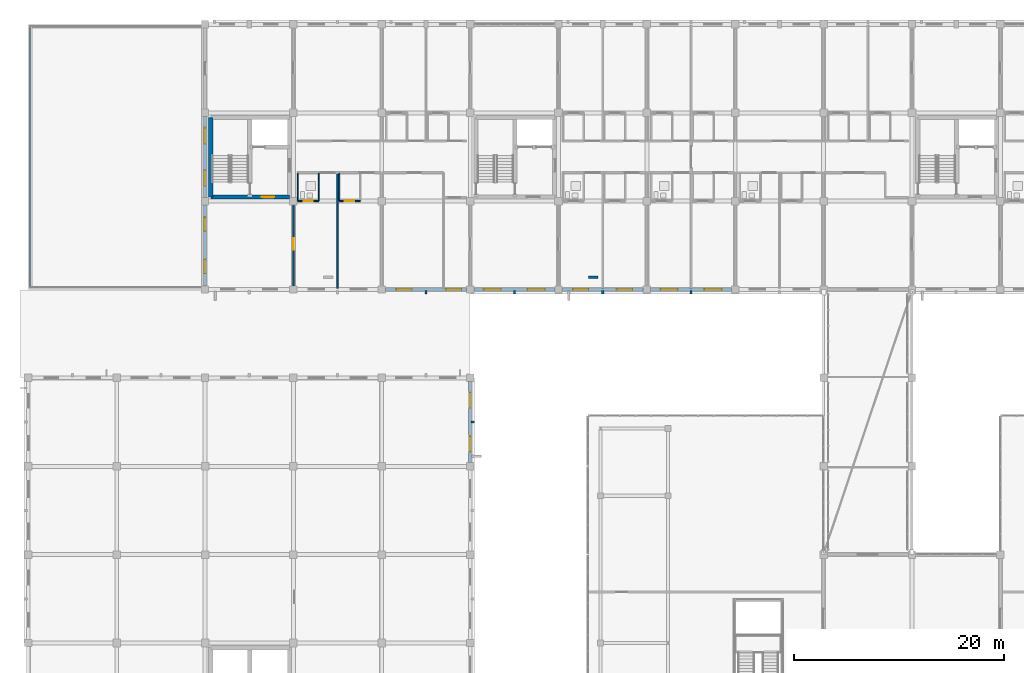
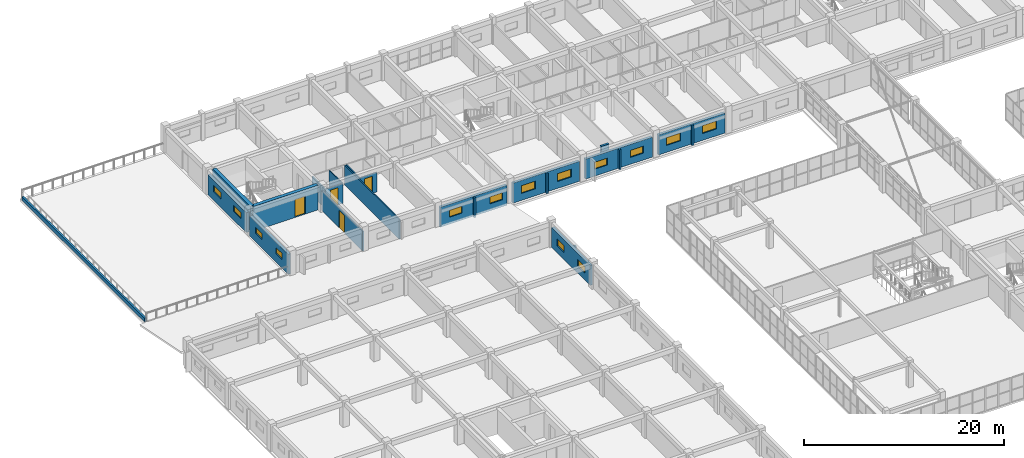
# One storey, part 122 of 148: 23 walls, 14 windows, 4 doors, 18 openings.
"""IFC4 building model written with IfcOpenShell, lengths in metres."""

from ifc_helpers import new_model, si_unit, direction, frame, frame_2d, origin, place, context, subcontext, project, spatial, rectangle, extrude, material, layer, layer_set, type_object, element, fill, save


model = new_model("IFC4")

# Units and contexts
model_context = context("Model", 3, precision=1e-05, world=origin(), true_north=direction((0.0, 1.0)))
body_context = subcontext(model_context, "Body", "Model", "MODEL_VIEW")
ifc_project = project(units=[si_unit("LENGTHUNIT", "METRE"), si_unit("AREAUNIT", "SQUARE_METRE"), si_unit("VOLUMEUNIT", "CUBIC_METRE"), si_unit("PLANEANGLEUNIT", "RADIAN"), si_unit("MASSUNIT", "GRAM", prefix="KILO")], contexts=[model_context])

# Site, building, storey
site_placement = place(None, origin())
site = spatial("IfcSite", under=ifc_project, at=site_placement, CompositionType="ELEMENT")
building_placement = place(site_placement, origin())
building = spatial("IfcBuilding", under=site, at=building_placement, Name="Trelvath General Hospital", CompositionType="ELEMENT")
storey_placement = place(building_placement, frame((0.0, 0.0, 12.89990234375)))
storey = spatial("IfcBuildingStorey", under=building, at=storey_placement, Name="L03", CompositionType="ELEMENT", Elevation=12.89990234375)

# Walls
ifc_material_1 = material(Name="Precast concrete C40/50", Category="concrete")
ifc_layer_1 = layer(ifc_material_1, 0.199951171875)
ifc_layer_set_1 = layer_set([ifc_layer_1], Name="Precast concrete C40/50")
wall_type_1 = type_object("IfcWallType", Name="BriseSoleilRib 200", PredefinedType="ELEMENTEDWALL", material=ifc_layer_set_1)
wall_1_placement = place(storey_placement, frame((42.074951171875, 79.800048828125, 0.0), z_axis=(0.0, 0.0, 1.0), x_axis=(1.0, 0.0, 0.0)))
element("IfcWall", 1, at=wall_1_placement, inside=storey, type_object=wall_type_1, Name="Precast Concrete Brise-Soleil Rib Fin L03-255", PredefinedType="ELEMENTEDWALL", context=body_context, shape_type="SweptSolid", body=[
    extrude(rectangle(XDim=0.340087890625, YDim=0.199951171875, at=frame_2d((0.169921875, 0.0))), origin(), (0.0, 0.0, 1.0), 2.420166015625),
])
for number, where, z_axis, x_axis, name in (
    (2, (37.800048828125, 92.324951171875, 0.0), (0.0, 0.0, 1.0), (0.0, -1.0, 0.0), "Precast Concrete Brise-Soleil Rib Fin L03-256"),
    (3, (46.199951171875, 92.324951171875, 0.0), (0.0, 0.0, 1.0), (0.0, -1.0, 0.0), "Precast Concrete Brise-Soleil Rib Fin L03-259"),
    (4, (54.60009765625, 92.324951171875, 0.0), (0.0, 0.0, 1.0), (0.0, -1.0, 0.0), "Precast Concrete Brise-Soleil Rib Fin L03-262"),
    (5, (63.0, 92.324951171875, 0.0), (0.0, 0.0, 1.0), (0.0, -1.0, 0.0), "Precast Concrete Brise-Soleil Rib Fin L03-266"),
):
    element("IfcWall", number, at=place(storey_placement, frame(where, z_axis=z_axis, x_axis=x_axis)), inside=storey, type_object=wall_type_1, Name=name, PredefinedType="ELEMENTEDWALL", context=body_context, shape_type="SweptSolid", body=[
        extrude(rectangle(XDim=0.33984375, YDim=0.199951171875, at=frame_2d((0.169921875, 0.0))), origin(), (0.0, 0.0, 1.0), 2.420166015625),
    ])

# Wall, opening, door
ifc_material_2 = material(Name="Concrete C40/50", Category="concrete")
ifc_layer_2 = layer(ifc_material_2, 0.39990234375)
ifc_layer_set_2 = layer_set([ifc_layer_2], Name="Concrete C40/50")
wall_type_2 = type_object("IfcWallType", Name="CoreShearWall 400", PredefinedType="SHEAR", material=ifc_layer_set_2)
wall_2_placement = place(storey_placement, frame((17.35009765625, 101.199951171875, 0.0), z_axis=(0.0, 0.0, 1.0), x_axis=(1.0, 0.0, 0.0)))
wall_2 = element("IfcWall", 6, at=wall_2_placement, inside=storey, type_object=wall_type_2, Name="Core Shear Wall C3 S L03", PredefinedType="SHEAR", context=body_context, shape_type="SweptSolid", body=[
    extrude(rectangle(XDim=7.5, YDim=0.39990234375, at=frame_2d((3.75, 0.0))), origin(), (0.0, 0.0, 1.0), 3.02001953125),
])
opening_1_placement = place(wall_2_placement, frame((4.85009765625, 0.0, 0.0)))
opening_1 = element("IfcOpeningElement", 7, at=opening_1_placement, cuts=wall_2, Name="Opening FD-LS33", PredefinedType="OPENING", context=body_context, shape_type="SweptSolid", body=[
    extrude(rectangle(XDim=1.199951171875, YDim=2.199951171875, at=frame_2d((0.60009765625, 1.10009765625))), frame((0.0, 0.2099609375, 0.0), z_axis=(0.0, -1.0, 0.0), x_axis=(1.0, 0.0, 0.0)), (0.0, 0.0, 1.0), 0.419921875),
])
ifc_material_3 = material(Name="Fire-rated steel door", Category="steel")
door_type_1 = type_object("IfcDoorType", Name="Door FireLobby 1200x2200", OperationType="NOTDEFINED", PredefinedType="DOOR", material=ifc_material_3)
door_1_placement = place(opening_1_placement, origin())
door_1 = element("IfcDoor", 8, at=door_1_placement, inside=storey, type_object=door_type_1, Name="Fire Lobby South Door C3 L03", OperationType="SINGLE_SWING_LEFT", OverallHeight=2.199951171875, OverallWidth=1.199951171875, PredefinedType="DOOR", context=body_context, shape_type="SweptSolid", body=[
    extrude(rectangle(XDim=1.199951171875, YDim=2.199951171875, at=frame_2d((0.60009765625, 1.10009765625))), frame((0.0, 0.02490234375, 0.0), z_axis=(0.0, -1.0, 0.0), x_axis=(1.0, 0.0, 0.0)), (0.0, 0.0, 1.0), 0.050048828125),
])
fill(opening_1, door_1)

# Walls
wall_3_placement = place(storey_placement, frame((17.35009765625, 101.199951171875, 0.0), z_axis=(0.0, 0.0, 1.0), x_axis=(0.0, 1.0, 0.0)))
element("IfcWall", 9, at=wall_3_placement, inside=storey, type_object=wall_type_2, Name="Core Shear Wall C3 W L03", PredefinedType="SHEAR", context=body_context, shape_type="SweptSolid", body=[
    extrude(rectangle(XDim=7.550048828125, YDim=0.39990234375, at=frame_2d((3.77490234375, 0.0))), origin(), (0.0, 0.0, 1.0), 3.02001953125),
])
ifc_material_4 = material(Name="Moisture-resistant tile partition")
ifc_layer_3 = layer(ifc_material_4, 0.110107421875)
ifc_layer_set_3 = layer_set([ifc_layer_3], Name="Moisture-resistant tile partition")
wall_type_3 = type_object("IfcWallType", Name="EnSuiteWetWall 110", PredefinedType="PARTITIONING", material=ifc_layer_set_3)
for number, where, z_axis, x_axis, name in (
    (10, (25.6201171875, 100.820068359375, 0.0), (0.0, 0.0, 1.0), (0.0, 1.0, 0.0), "En-Suite W Wall L03-1233"),
    (11, (27.60009765625, 100.820068359375, 0.0), (0.0, 0.0, 1.0), (0.0, 1.0, 0.0), "En-Suite E Wall L03-1234"),
):
    element("IfcWall", number, at=place(storey_placement, frame(where, z_axis=z_axis, x_axis=x_axis)), inside=storey, type_object=wall_type_3, Name=name, PredefinedType="PARTITIONING", context=body_context, shape_type="SweptSolid", body=[
        extrude(rectangle(XDim=2.60986328125, YDim=0.110107421875, at=frame_2d((1.304931640625, 0.0))), origin(), (0.0, 0.0, 1.0), 2.420166015625),
    ])

# Wall, opening, door
wall_4_placement = place(storey_placement, frame((25.6201171875, 100.820068359375, 0.0), z_axis=(0.0, 0.0, 1.0), x_axis=(1.0, 0.0, 0.0)))
wall_4 = element("IfcWall", 12, at=wall_4_placement, inside=storey, type_object=wall_type_3, Name="En-Suite Bathroom Partition L03-1235", PredefinedType="PARTITIONING", context=body_context, shape_type="SweptSolid", body=[
    extrude(rectangle(XDim=1.97998046875, YDim=0.110107421875, at=frame_2d((0.989990234375, 0.0))), origin(), (0.0, 0.0, 1.0), 2.420166015625),
])
opening_2_placement = place(wall_4_placement, frame((0.5400390625, 0.0, 0.0)))
opening_2 = element("IfcOpeningElement", 13, at=opening_2_placement, cuts=wall_4, Name="Opening D-3-0904", PredefinedType="OPENING", context=body_context, shape_type="SweptSolid", body=[
    extrude(rectangle(XDim=0.89990234375, YDim=2.10009765625, at=frame_2d((0.449951171875, 1.050048828125))), frame((0.0, 0.06494140625, 0.0), z_axis=(0.0, -1.0, 0.0), x_axis=(1.0, 0.0, 0.0)), (0.0, 0.0, 1.0), 0.130126953125),
])
ifc_material_5 = material(Name="Moisture-sealed timber leaf", Category="wood")
door_type_2 = type_object("IfcDoorType", Name="Door EnSuite 900x2100", OperationType="NOTDEFINED", PredefinedType="DOOR", material=ifc_material_5)
door_2_placement = place(opening_2_placement, origin())
door_2 = element("IfcDoor", 14, at=door_2_placement, inside=storey, type_object=door_type_2, Name="En-Suite Bathroom Door L03-904", OperationType="SINGLE_SWING_RIGHT", OverallHeight=2.10009765625, OverallWidth=0.89990234375, PredefinedType="DOOR", context=body_context, shape_type="SweptSolid", body=[
    extrude(rectangle(XDim=0.89990234375, YDim=2.10009765625, at=frame_2d((0.449951171875, 1.050048828125))), frame((0.0, 0.02490234375, 0.0), z_axis=(0.0, -1.0, 0.0), x_axis=(1.0, 0.0, 0.0)), (0.0, 0.0, 1.0), 0.050048828125),
])
fill(opening_2, door_2)

# Wall
wall_5_placement = place(storey_placement, frame((29.56005859375, 100.820068359375, 0.0), z_axis=(0.0, 0.0, 1.0), x_axis=(0.0, 1.0, 0.0)))
element("IfcWall", 15, at=wall_5_placement, inside=storey, type_object=wall_type_3, Name="En-Suite W Wall L03-1236", PredefinedType="PARTITIONING", context=body_context, shape_type="SweptSolid", body=[
    extrude(rectangle(XDim=2.60986328125, YDim=0.110107421875, at=frame_2d((1.304931640625, 0.0))), origin(), (0.0, 0.0, 1.0), 2.420166015625),
])

# Wall, opening, door
wall_6_placement = place(storey_placement, frame((29.56005859375, 100.820068359375, 0.0), z_axis=(0.0, 0.0, 1.0), x_axis=(1.0, 0.0, 0.0)))
wall_6 = element("IfcWall", 16, at=wall_6_placement, inside=storey, type_object=wall_type_3, Name="En-Suite Bathroom Partition L03-1238", PredefinedType="PARTITIONING", context=body_context, shape_type="SweptSolid", body=[
    extrude(rectangle(XDim=1.97998046875, YDim=0.110107421875, at=frame_2d((0.989990234375, 0.0))), origin(), (0.0, 0.0, 1.0), 2.420166015625),
])
opening_3_placement = place(wall_6_placement, frame((0.5400390625, 0.0, 0.0)))
opening_3 = element("IfcOpeningElement", 17, at=opening_3_placement, cuts=wall_6, Name="Opening D-3-0905", PredefinedType="OPENING", context=body_context, shape_type="SweptSolid", body=[
    extrude(rectangle(XDim=0.89990234375, YDim=2.10009765625, at=frame_2d((0.449951171875, 1.050048828125))), frame((0.0, 0.06494140625, 0.0), z_axis=(0.0, -1.0, 0.0), x_axis=(1.0, 0.0, 0.0)), (0.0, 0.0, 1.0), 0.130126953125),
])
door_3_placement = place(opening_3_placement, origin())
door_3 = element("IfcDoor", 18, at=door_3_placement, inside=storey, type_object=door_type_2, Name="En-Suite Bathroom Door L03-905", OperationType="SINGLE_SWING_LEFT", OverallHeight=2.10009765625, OverallWidth=0.89990234375, PredefinedType="DOOR", context=body_context, shape_type="SweptSolid", body=[
    extrude(rectangle(XDim=0.89990234375, YDim=2.10009765625, at=frame_2d((0.449951171875, 1.050048828125))), frame((0.0, 0.02490234375, 0.0), z_axis=(0.0, -1.0, 0.0), x_axis=(1.0, 0.0, 0.0)), (0.0, 0.0, 1.0), 0.050048828125),
])
fill(opening_3, door_3)

# Wall, openings, windows
ifc_material_6 = material(Name="Concrete C35/45", Category="concrete")
ifc_layer_4 = layer(ifc_material_6, 0.2900390625)
ifc_layer_set_4 = layer_set([ifc_layer_4], Name="Concrete C35/45")
wall_type_4 = type_object("IfcWallType", Name="ExtBushHammeredWall 290", PredefinedType="SOLIDWALL", material=ifc_layer_set_4)
wall_7_placement = place(storey_placement, frame((16.800048828125, 92.7451171875, 0.0), z_axis=(0.0, 0.0, 1.0), x_axis=(0.0, 1.0, 0.0)))
wall_7 = element("IfcWall", 19, at=wall_7_placement, inside=storey, type_object=wall_type_4, Name="Exterior Concrete Wall L03-344", PredefinedType="SOLIDWALL", context=body_context, shape_type="SweptSolid", body=[
    extrude(rectangle(XDim=7.7099609375, YDim=0.2900390625, at=frame_2d((3.85498046875, 0.0))), origin(), (0.0, 0.0, 1.0), 2.440185546875),
])
opening_4_placement = place(wall_7_placement, frame((1.200439453125, 0.0, 1.050048828125)))
opening_4 = element("IfcOpeningElement", 20, at=opening_4_placement, cuts=wall_7, Name="Opening WN-3-559", PredefinedType="OPENING", context=body_context, shape_type="SweptSolid", body=[
    extrude(rectangle(XDim=1.300048828125, YDim=0.75, at=frame_2d((0.64990234375, 0.375))), frame((0.0, 0.155029296875, 0.0), z_axis=(0.0, -1.0, 0.0), x_axis=(1.0, 0.0, 0.0)), (0.0, 0.0, 1.0), 0.31005859375),
])
opening_5_placement = place(wall_7_placement, frame((5.209716796875, 0.0, 1.050048828125)))
opening_5 = element("IfcOpeningElement", 21, at=opening_5_placement, cuts=wall_7, Name="Opening WN-3-560", PredefinedType="OPENING", context=body_context, shape_type="SweptSolid", body=[
    extrude(rectangle(XDim=1.300048828125, YDim=0.75, at=frame_2d((0.64990234375, 0.375))), frame((0.0, 0.155029296875, 0.0), z_axis=(0.0, -1.0, 0.0), x_axis=(1.0, 0.0, 0.0)), (0.0, 0.0, 1.0), 0.31005859375),
])
ifc_material_7 = material(Name="Low-E laminated glass", Category="glass")
window_type_1 = type_object("IfcWindowType", Name="Window InterstitialVent 1300x750", PartitioningType="DOUBLE_PANEL_HORIZONTAL", PredefinedType="WINDOW", material=ifc_material_7)
window_1_placement = place(opening_4_placement, origin())
window_1 = element("IfcWindow", 22, at=window_1_placement, inside=storey, type_object=window_type_1, Name="Solar Reveal Window L03-559", OverallHeight=0.75, OverallWidth=1.300048828125, PartitioningType="SINGLE_PANEL", PredefinedType="WINDOW", context=body_context, shape_type="SweptSolid", body=[
    extrude(rectangle(XDim=1.300048828125, YDim=0.75, at=frame_2d((0.64990234375, 0.375))), frame((0.0, 0.030029296875, 0.0), z_axis=(0.0, -1.0, 0.0), x_axis=(1.0, 0.0, 0.0)), (0.0, 0.0, 1.0), 0.06005859375),
])
fill(opening_4, window_1)
window_2_placement = place(opening_5_placement, origin())
window_2 = element("IfcWindow", 23, at=window_2_placement, inside=storey, type_object=window_type_1, Name="Solar Reveal Window L03-560", OverallHeight=0.75, OverallWidth=1.300048828125, PartitioningType="SINGLE_PANEL", PredefinedType="WINDOW", context=body_context, shape_type="SweptSolid", body=[
    extrude(rectangle(XDim=1.300048828125, YDim=0.75, at=frame_2d((0.64990234375, 0.375))), frame((0.0, 0.030029296875, 0.0), z_axis=(0.0, -1.0, 0.0), x_axis=(1.0, 0.0, 0.0)), (0.0, 0.0, 1.0), 0.06005859375),
])
fill(opening_5, window_2)

wall_8_placement = place(storey_placement, frame((16.800048828125, 101.14501953125, 0.0), z_axis=(0.0, 0.0, 1.0), x_axis=(0.0, 1.0, 0.0)))
wall_8 = element("IfcWall", 24, at=wall_8_placement, inside=storey, type_object=wall_type_4, Name="Exterior Concrete Wall L03-345", PredefinedType="SOLIDWALL", context=body_context, shape_type="SweptSolid", body=[
    extrude(rectangle(XDim=7.7099609375, YDim=0.2900390625, at=frame_2d((3.85498046875, 0.0))), origin(), (0.0, 0.0, 1.0), 2.440185546875),
])
opening_6_placement = place(wall_8_placement, frame((1.100341796875, 0.0, 1.050048828125)))
opening_6 = element("IfcOpeningElement", 25, at=opening_6_placement, cuts=wall_8, Name="Opening WN-3-561", PredefinedType="OPENING", context=body_context, shape_type="SweptSolid", body=[
    extrude(rectangle(XDim=1.5, YDim=0.75, at=frame_2d((0.75, 0.375))), frame((0.0, 0.155029296875, 0.0), z_axis=(0.0, -1.0, 0.0), x_axis=(1.0, 0.0, 0.0)), (0.0, 0.0, 1.0), 0.31005859375),
])
opening_7_placement = place(wall_8_placement, frame((5.109619140625, 0.0, 1.050048828125)))
opening_7 = element("IfcOpeningElement", 26, at=opening_7_placement, cuts=wall_8, Name="Opening WN-3-562", PredefinedType="OPENING", context=body_context, shape_type="SweptSolid", body=[
    extrude(rectangle(XDim=1.5, YDim=0.75, at=frame_2d((0.75, 0.375))), frame((0.0, 0.155029296875, 0.0), z_axis=(0.0, -1.0, 0.0), x_axis=(1.0, 0.0, 0.0)), (0.0, 0.0, 1.0), 0.31005859375),
])
ifc_material_8 = material(Name="Low-E laminated glass", Category="glass")
window_type_2 = type_object("IfcWindowType", Name="Window InterstitialVent 1500x750", PartitioningType="DOUBLE_PANEL_HORIZONTAL", PredefinedType="WINDOW", material=ifc_material_8)
window_3_placement = place(opening_6_placement, origin())
window_3 = element("IfcWindow", 27, at=window_3_placement, inside=storey, type_object=window_type_2, Name="Solar Reveal Window L03-561", OverallHeight=0.75, OverallWidth=1.5, PartitioningType="SINGLE_PANEL", PredefinedType="WINDOW", context=body_context, shape_type="SweptSolid", body=[
    extrude(rectangle(XDim=1.5, YDim=0.75, at=frame_2d((0.75, 0.375))), frame((0.0, 0.030029296875, 0.0), z_axis=(0.0, -1.0, 0.0), x_axis=(1.0, 0.0, 0.0)), (0.0, 0.0, 1.0), 0.06005859375),
])
fill(opening_6, window_3)
window_4_placement = place(opening_7_placement, origin())
window_4 = element("IfcWindow", 28, at=window_4_placement, inside=storey, type_object=window_type_2, Name="Solar Reveal Window L03-562", OverallHeight=0.75, OverallWidth=1.5, PartitioningType="SINGLE_PANEL", PredefinedType="WINDOW", context=body_context, shape_type="SweptSolid", body=[
    extrude(rectangle(XDim=1.5, YDim=0.75, at=frame_2d((0.75, 0.375))), frame((0.0, 0.030029296875, 0.0), z_axis=(0.0, -1.0, 0.0), x_axis=(1.0, 0.0, 0.0)), (0.0, 0.0, 1.0), 0.06005859375),
])
fill(opening_7, window_4)

wall_9_placement = place(storey_placement, frame((42.0, 83.655029296875, 0.0), z_axis=(0.0, 0.0, 1.0), x_axis=(0.0, -1.0, 0.0)))
wall_9 = element("IfcWall", 29, at=wall_9_placement, inside=storey, type_object=wall_type_4, Name="Exterior Concrete Wall L03-363", PredefinedType="SOLIDWALL", context=body_context, shape_type="SweptSolid", body=[
    extrude(rectangle(XDim=7.7099609375, YDim=0.2900390625, at=frame_2d((3.85498046875, 0.0))), origin(), (0.0, 0.0, 1.0), 2.440185546875),
])
opening_8_placement = place(wall_9_placement, frame((1.043212890625, 0.0, 0.85009765625)))
opening_8 = element("IfcOpeningElement", 30, at=opening_8_placement, cuts=wall_9, Name="Opening WN-3-595", PredefinedType="OPENING", context=body_context, shape_type="SweptSolid", body=[
    extrude(rectangle(XDim=1.4599609375, YDim=0.85009765625, at=frame_2d((0.72998046875, 0.425048828125))), frame((0.0, 0.155029296875, 0.0), z_axis=(0.0, -1.0, 0.0), x_axis=(1.0, 0.0, 0.0)), (0.0, 0.0, 1.0), 0.31005859375),
])
opening_9_placement = place(wall_9_placement, frame((5.206787109375, 0.0, 0.85009765625)))
opening_9 = element("IfcOpeningElement", 31, at=opening_9_placement, cuts=wall_9, Name="Opening WN-3-596", PredefinedType="OPENING", context=body_context, shape_type="SweptSolid", body=[
    extrude(rectangle(XDim=1.4599609375, YDim=0.85009765625, at=frame_2d((0.72998046875, 0.425048828125))), frame((0.0, 0.155029296875, 0.0), z_axis=(0.0, -1.0, 0.0), x_axis=(1.0, 0.0, 0.0)), (0.0, 0.0, 1.0), 0.31005859375),
])
ifc_material_9 = material(Name="Low-E laminated glass", Category="glass")
window_type_3 = type_object("IfcWindowType", Name="Window ImagingClere 1460x850", PartitioningType="DOUBLE_PANEL_VERTICAL", PredefinedType="WINDOW", material=ifc_material_9)
window_5_placement = place(opening_8_placement, origin())
window_5 = element("IfcWindow", 32, at=window_5_placement, inside=storey, type_object=window_type_3, Name="Solar Reveal Window L03-595", OverallHeight=0.85009765625, OverallWidth=1.4599609375, PartitioningType="SINGLE_PANEL", PredefinedType="WINDOW", context=body_context, shape_type="SweptSolid", body=[
    extrude(rectangle(XDim=1.4599609375, YDim=0.85009765625, at=frame_2d((0.72998046875, 0.425048828125))), frame((0.0, 0.030029296875, 0.0), z_axis=(0.0, -1.0, 0.0), x_axis=(1.0, 0.0, 0.0)), (0.0, 0.0, 1.0), 0.06005859375),
])
fill(opening_8, window_5)
window_6_placement = place(opening_9_placement, origin())
window_6 = element("IfcWindow", 33, at=window_6_placement, inside=storey, type_object=window_type_3, Name="Solar Reveal Window L03-596", OverallHeight=0.85009765625, OverallWidth=1.4599609375, PartitioningType="SINGLE_PANEL", PredefinedType="WINDOW", context=body_context, shape_type="SweptSolid", body=[
    extrude(rectangle(XDim=1.4599609375, YDim=0.85009765625, at=frame_2d((0.72998046875, 0.425048828125))), frame((0.0, 0.030029296875, 0.0), z_axis=(0.0, -1.0, 0.0), x_axis=(1.0, 0.0, 0.0)), (0.0, 0.0, 1.0), 0.06005859375),
])
fill(opening_9, window_6)

wall_10_placement = place(storey_placement, frame((41.655029296875, 92.39990234375, 0.0), z_axis=(0.0, 0.0, 1.0), x_axis=(-1.0, 0.0, 0.0)))
wall_10 = element("IfcWall", 34, at=wall_10_placement, inside=storey, type_object=wall_type_4, Name="Exterior Concrete Wall L03-364", PredefinedType="SOLIDWALL", context=body_context, shape_type="SweptSolid", body=[
    extrude(rectangle(XDim=7.7099609375, YDim=0.2900390625, at=frame_2d((3.85498046875, 0.0))), origin(), (0.0, 0.0, 1.0), 2.440185546875),
])
opening_10_placement = place(wall_10_placement, frame((0.489990234375, 0.0, 0.85009765625)))
opening_10 = element("IfcOpeningElement", 35, at=opening_10_placement, cuts=wall_10, Name="Opening WN-3-597", PredefinedType="OPENING", context=body_context, shape_type="SweptSolid", body=[
    extrude(rectangle(XDim=1.4599609375, YDim=0.85009765625, at=frame_2d((0.72998046875, 0.425048828125))), frame((0.0, 0.155029296875, 0.0), z_axis=(0.0, -1.0, 0.0), x_axis=(1.0, 0.0, 0.0)), (0.0, 0.0, 1.0), 0.31005859375),
])
opening_11_placement = place(wall_10_placement, frame((5.206787109375, 0.0, 0.85009765625)))
opening_11 = element("IfcOpeningElement", 36, at=opening_11_placement, cuts=wall_10, Name="Opening WN-3-598", PredefinedType="OPENING", context=body_context, shape_type="SweptSolid", body=[
    extrude(rectangle(XDim=1.4599609375, YDim=0.85009765625, at=frame_2d((0.72998046875, 0.425048828125))), frame((0.0, 0.155029296875, 0.0), z_axis=(0.0, -1.0, 0.0), x_axis=(1.0, 0.0, 0.0)), (0.0, 0.0, 1.0), 0.31005859375),
])
window_7_placement = place(opening_10_placement, origin())
window_7 = element("IfcWindow", 37, at=window_7_placement, inside=storey, type_object=window_type_3, Name="Solar Reveal Window L03-597", OverallHeight=0.85009765625, OverallWidth=1.4599609375, PartitioningType="SINGLE_PANEL", PredefinedType="WINDOW", context=body_context, shape_type="SweptSolid", body=[
    extrude(rectangle(XDim=1.4599609375, YDim=0.85009765625, at=frame_2d((0.72998046875, 0.425048828125))), frame((0.0, 0.030029296875, 0.0), z_axis=(0.0, -1.0, 0.0), x_axis=(1.0, 0.0, 0.0)), (0.0, 0.0, 1.0), 0.06005859375),
])
fill(opening_10, window_7)
window_8_placement = place(opening_11_placement, origin())
window_8 = element("IfcWindow", 38, at=window_8_placement, inside=storey, type_object=window_type_3, Name="Solar Reveal Window L03-598", OverallHeight=0.85009765625, OverallWidth=1.4599609375, PartitioningType="SINGLE_PANEL", PredefinedType="WINDOW", context=body_context, shape_type="SweptSolid", body=[
    extrude(rectangle(XDim=1.4599609375, YDim=0.85009765625, at=frame_2d((0.72998046875, 0.425048828125))), frame((0.0, 0.030029296875, 0.0), z_axis=(0.0, -1.0, 0.0), x_axis=(1.0, 0.0, 0.0)), (0.0, 0.0, 1.0), 0.06005859375),
])
fill(opening_11, window_8)

wall_11_placement = place(storey_placement, frame((50.054931640625, 92.39990234375, 0.0), z_axis=(0.0, 0.0, 1.0), x_axis=(-1.0, 0.0, 0.0)))
wall_11 = element("IfcWall", 39, at=wall_11_placement, inside=storey, type_object=wall_type_4, Name="Exterior Concrete Wall L03-367", PredefinedType="SOLIDWALL", context=body_context, shape_type="SweptSolid", body=[
    extrude(rectangle(XDim=7.7099609375, YDim=0.2900390625, at=frame_2d((3.85498046875, 0.0))), origin(), (0.0, 0.0, 1.0), 2.440185546875),
])
opening_12_placement = place(wall_11_placement, frame((0.96337890625, 0.0, 0.85009765625)))
opening_12 = element("IfcOpeningElement", 40, at=opening_12_placement, cuts=wall_11, Name="Opening WN-3-603", PredefinedType="OPENING", context=body_context, shape_type="SweptSolid", body=[
    extrude(rectangle(XDim=1.6201171875, YDim=0.949951171875, at=frame_2d((0.81005859375, 0.47509765625))), frame((0.0, 0.155029296875, 0.0), z_axis=(0.0, -1.0, 0.0), x_axis=(1.0, 0.0, 0.0)), (0.0, 0.0, 1.0), 0.31005859375),
])
opening_13_placement = place(wall_11_placement, frame((5.126708984375, 0.0, 0.85009765625)))
opening_13 = element("IfcOpeningElement", 41, at=opening_13_placement, cuts=wall_11, Name="Opening WN-3-604", PredefinedType="OPENING", context=body_context, shape_type="SweptSolid", body=[
    extrude(rectangle(XDim=1.6201171875, YDim=0.949951171875, at=frame_2d((0.81005859375, 0.47509765625))), frame((0.0, 0.155029296875, 0.0), z_axis=(0.0, -1.0, 0.0), x_axis=(1.0, 0.0, 0.0)), (0.0, 0.0, 1.0), 0.31005859375),
])
ifc_material_10 = material(Name="Low-E laminated glass", Category="glass")
window_type_4 = type_object("IfcWindowType", Name="Window EmergencyClere 1620x950", PartitioningType="DOUBLE_PANEL_VERTICAL", PredefinedType="WINDOW", material=ifc_material_10)
window_9_placement = place(opening_12_placement, origin())
window_9 = element("IfcWindow", 42, at=window_9_placement, inside=storey, type_object=window_type_4, Name="Solar Reveal Window L03-603", OverallHeight=0.949951171875, OverallWidth=1.6201171875, PartitioningType="SINGLE_PANEL", PredefinedType="WINDOW", context=body_context, shape_type="SweptSolid", body=[
    extrude(rectangle(XDim=1.6201171875, YDim=0.949951171875, at=frame_2d((0.81005859375, 0.47509765625))), frame((0.0, 0.030029296875, 0.0), z_axis=(0.0, -1.0, 0.0), x_axis=(1.0, 0.0, 0.0)), (0.0, 0.0, 1.0), 0.06005859375),
])
fill(opening_12, window_9)
window_10_placement = place(opening_13_placement, origin())
window_10 = element("IfcWindow", 43, at=window_10_placement, inside=storey, type_object=window_type_4, Name="Solar Reveal Window L03-604", OverallHeight=0.949951171875, OverallWidth=1.6201171875, PartitioningType="SINGLE_PANEL", PredefinedType="WINDOW", context=body_context, shape_type="SweptSolid", body=[
    extrude(rectangle(XDim=1.6201171875, YDim=0.949951171875, at=frame_2d((0.81005859375, 0.47509765625))), frame((0.0, 0.030029296875, 0.0), z_axis=(0.0, -1.0, 0.0), x_axis=(1.0, 0.0, 0.0)), (0.0, 0.0, 1.0), 0.06005859375),
])
fill(opening_13, window_10)

wall_12_placement = place(storey_placement, frame((58.455078125, 92.39990234375, 0.0), z_axis=(0.0, 0.0, 1.0), x_axis=(-1.0, 0.0, 0.0)))
wall_12 = element("IfcWall", 44, at=wall_12_placement, inside=storey, type_object=wall_type_4, Name="Exterior Concrete Wall L03-370", PredefinedType="SOLIDWALL", context=body_context, shape_type="SweptSolid", body=[
    extrude(rectangle(XDim=7.7099609375, YDim=0.2900390625, at=frame_2d((3.85498046875, 0.0))), origin(), (0.0, 0.0, 1.0), 2.440185546875),
])
opening_14_placement = place(wall_12_placement, frame((1.043212890625, 0.0, 0.85009765625)))
opening_14 = element("IfcOpeningElement", 45, at=opening_14_placement, cuts=wall_12, Name="Opening WN-3-609", PredefinedType="OPENING", context=body_context, shape_type="SweptSolid", body=[
    extrude(rectangle(XDim=1.4599609375, YDim=0.85009765625, at=frame_2d((0.72998046875, 0.425048828125))), frame((0.0, 0.155029296875, 0.0), z_axis=(0.0, -1.0, 0.0), x_axis=(1.0, 0.0, 0.0)), (0.0, 0.0, 1.0), 0.31005859375),
])
opening_15_placement = place(wall_12_placement, frame((5.206787109375, 0.0, 0.85009765625)))
opening_15 = element("IfcOpeningElement", 46, at=opening_15_placement, cuts=wall_12, Name="Opening WN-3-610", PredefinedType="OPENING", context=body_context, shape_type="SweptSolid", body=[
    extrude(rectangle(XDim=1.4599609375, YDim=0.85009765625, at=frame_2d((0.72998046875, 0.425048828125))), frame((0.0, 0.155029296875, 0.0), z_axis=(0.0, -1.0, 0.0), x_axis=(1.0, 0.0, 0.0)), (0.0, 0.0, 1.0), 0.31005859375),
])
window_11_placement = place(opening_14_placement, origin())
window_11 = element("IfcWindow", 47, at=window_11_placement, inside=storey, type_object=window_type_3, Name="Solar Reveal Window L03-609", OverallHeight=0.85009765625, OverallWidth=1.4599609375, PartitioningType="SINGLE_PANEL", PredefinedType="WINDOW", context=body_context, shape_type="SweptSolid", body=[
    extrude(rectangle(XDim=1.4599609375, YDim=0.85009765625, at=frame_2d((0.72998046875, 0.425048828125))), frame((0.0, 0.030029296875, 0.0), z_axis=(0.0, -1.0, 0.0), x_axis=(1.0, 0.0, 0.0)), (0.0, 0.0, 1.0), 0.06005859375),
])
fill(opening_14, window_11)
window_12_placement = place(opening_15_placement, origin())
window_12 = element("IfcWindow", 48, at=window_12_placement, inside=storey, type_object=window_type_3, Name="Solar Reveal Window L03-610", OverallHeight=0.85009765625, OverallWidth=1.4599609375, PartitioningType="SINGLE_PANEL", PredefinedType="WINDOW", context=body_context, shape_type="SweptSolid", body=[
    extrude(rectangle(XDim=1.4599609375, YDim=0.85009765625, at=frame_2d((0.72998046875, 0.425048828125))), frame((0.0, 0.030029296875, 0.0), z_axis=(0.0, -1.0, 0.0), x_axis=(1.0, 0.0, 0.0)), (0.0, 0.0, 1.0), 0.06005859375),
])
fill(opening_15, window_12)

wall_13_placement = place(storey_placement, frame((66.85498046875, 92.39990234375, 0.0), z_axis=(0.0, 0.0, 1.0), x_axis=(-1.0, 0.0, 0.0)))
wall_13 = element("IfcWall", 49, at=wall_13_placement, inside=storey, type_object=wall_type_4, Name="Exterior Concrete Wall L03-374", PredefinedType="SOLIDWALL", context=body_context, shape_type="SweptSolid", body=[
    extrude(rectangle(XDim=7.7099609375, YDim=0.2900390625, at=frame_2d((3.85498046875, 0.0))), origin(), (0.0, 0.0, 1.0), 2.440185546875),
])
opening_16_placement = place(wall_13_placement, frame((0.96337890625, 0.0, 0.85009765625)))
opening_16 = element("IfcOpeningElement", 50, at=opening_16_placement, cuts=wall_13, Name="Opening WN-3-617", PredefinedType="OPENING", context=body_context, shape_type="SweptSolid", body=[
    extrude(rectangle(XDim=1.6201171875, YDim=0.949951171875, at=frame_2d((0.81005859375, 0.47509765625))), frame((0.0, 0.155029296875, 0.0), z_axis=(0.0, -1.0, 0.0), x_axis=(1.0, 0.0, 0.0)), (0.0, 0.0, 1.0), 0.31005859375),
])
opening_17_placement = place(wall_13_placement, frame((5.126708984375, 0.0, 0.85009765625)))
opening_17 = element("IfcOpeningElement", 51, at=opening_17_placement, cuts=wall_13, Name="Opening WN-3-618", PredefinedType="OPENING", context=body_context, shape_type="SweptSolid", body=[
    extrude(rectangle(XDim=1.6201171875, YDim=0.949951171875, at=frame_2d((0.81005859375, 0.47509765625))), frame((0.0, 0.155029296875, 0.0), z_axis=(0.0, -1.0, 0.0), x_axis=(1.0, 0.0, 0.0)), (0.0, 0.0, 1.0), 0.31005859375),
])
window_13_placement = place(opening_16_placement, origin())
window_13 = element("IfcWindow", 52, at=window_13_placement, inside=storey, type_object=window_type_4, Name="Solar Reveal Window L03-617", OverallHeight=0.949951171875, OverallWidth=1.6201171875, PartitioningType="SINGLE_PANEL", PredefinedType="WINDOW", context=body_context, shape_type="SweptSolid", body=[
    extrude(rectangle(XDim=1.6201171875, YDim=0.949951171875, at=frame_2d((0.81005859375, 0.47509765625))), frame((0.0, 0.030029296875, 0.0), z_axis=(0.0, -1.0, 0.0), x_axis=(1.0, 0.0, 0.0)), (0.0, 0.0, 1.0), 0.06005859375),
])
fill(opening_16, window_13)
window_14_placement = place(opening_17_placement, origin())
window_14 = element("IfcWindow", 53, at=window_14_placement, inside=storey, type_object=window_type_4, Name="Solar Reveal Window L03-618", OverallHeight=0.949951171875, OverallWidth=1.6201171875, PartitioningType="SINGLE_PANEL", PredefinedType="WINDOW", context=body_context, shape_type="SweptSolid", body=[
    extrude(rectangle(XDim=1.6201171875, YDim=0.949951171875, at=frame_2d((0.81005859375, 0.47509765625))), frame((0.0, 0.030029296875, 0.0), z_axis=(0.0, -1.0, 0.0), x_axis=(1.0, 0.0, 0.0)), (0.0, 0.0, 1.0), 0.06005859375),
])
fill(opening_17, window_14)

# Walls
ifc_material_11 = material(Name="Masonry service chase blockwork", Category="masonry")
ifc_layer_5 = layer(ifc_material_11, 0.239990234375)
ifc_layer_set_5 = layer_set([ifc_layer_5], Name="Masonry service chase blockwork")
wall_type_5 = type_object("IfcWallType", Name="PlumbingChaseWall 240", PredefinedType="PLUMBINGWALL", material=ifc_layer_set_5)
wall_14_placement = place(storey_placement, frame((53.25, 93.550048828125, 0.0), z_axis=(0.0, 0.0, 1.0), x_axis=(1.0, 0.0, 0.0)))
element("IfcWall", 54, at=wall_14_placement, inside=storey, type_object=wall_type_5, Name="Medical Gas Plumbing Chase L03-1266", PredefinedType="PLUMBINGWALL", context=body_context, shape_type="SweptSolid", body=[
    extrude(rectangle(XDim=0.89990234375, YDim=0.239990234375, at=frame_2d((0.449951171875, 0.0))), origin(), (0.0, 0.0, 1.0), 2.420166015625),
])
ifc_material_12 = material(Name="Concrete C35/45", Category="concrete")
ifc_layer_6 = layer(ifc_material_12, 0.2099609375)
ifc_layer_set_6 = layer_set([ifc_layer_6], Name="Concrete C35/45")
wall_type_6 = type_object("IfcWallType", Name="TerraceParapet 210", PredefinedType="PARAPET", material=ifc_layer_set_6)
wall_15_placement = place(storey_placement, frame((0.14990234375, 92.75, 0.0), z_axis=(0.0, 0.0, 1.0), x_axis=(0.0, 1.0, 0.0)))
element("IfcWall", 55, at=wall_15_placement, inside=storey, type_object=wall_type_6, Name="Terrace Planter Upstand TERR-OR-NW3", PredefinedType="PARAPET", context=body_context, shape_type="SweptSolid", body=[
    extrude(rectangle(XDim=24.5, YDim=0.2099609375, at=frame_2d((12.25, 0.0))), origin(), (0.0, 0.0, 1.0), 0.4501953125),
])

# Wall, opening, door
ifc_material_13 = material(Name="Gypsum acoustic steel-stud partition", Category="steel")
ifc_layer_7 = layer(ifc_material_13, 0.1298828125)
ifc_layer_set_7 = layer_set([ifc_layer_7], Name="Gypsum acoustic steel-stud partition")
wall_type_7 = type_object("IfcWallType", Name="WardPartition 130", PredefinedType="PARTITIONING", material=ifc_layer_set_7)
wall_16_placement = place(storey_placement, frame((25.199951171875, 92.5400390625, 0.0), z_axis=(0.0, 0.0, 1.0), x_axis=(0.0, 1.0, 0.0)))
wall_16 = element("IfcWall", 56, at=wall_16_placement, inside=storey, type_object=wall_type_7, Name="Inter-Bay Ward Partition S L03-1229", PredefinedType="PARTITIONING", context=body_context, shape_type="SweptSolid", body=[
    extrude(rectangle(XDim=8.2099609375, YDim=0.1298828125, at=frame_2d((4.10498046875, 0.0))), origin(), (0.0, 0.0, 1.0), 2.420166015625),
])
opening_18_placement = place(wall_16_placement, frame((3.639892578125, 0.0, 0.0)))
opening_18 = element("IfcOpeningElement", 57, at=opening_18_placement, cuts=wall_16, Name="Opening D-3-0900", PredefinedType="OPENING", context=body_context, shape_type="SweptSolid", body=[
    extrude(rectangle(XDim=1.080078125, YDim=2.14990234375, at=frame_2d((0.5400390625, 1.074951171875))), frame((0.0, 0.074951171875, 0.0), z_axis=(0.0, -1.0, 0.0), x_axis=(1.0, 0.0, 0.0)), (0.0, 0.0, 1.0), 0.14990234375),
])
ifc_material_14 = material(Name="Acoustic hospital timber leaf", Category="wood")
door_type_3 = type_object("IfcDoorType", Name="Door CleanSupply 1080x2150", OperationType="NOTDEFINED", PredefinedType="DOOR", material=ifc_material_14)
door_4_placement = place(opening_18_placement, origin())
door_4 = element("IfcDoor", 58, at=door_4_placement, inside=storey, type_object=door_type_3, Name="Clean Supply Connecting Door L03-900", OperationType="SINGLE_SWING_RIGHT", OverallHeight=2.14990234375, OverallWidth=1.080078125, PredefinedType="DOOR", context=body_context, shape_type="SweptSolid", body=[
    extrude(rectangle(XDim=1.080078125, YDim=2.14990234375, at=frame_2d((0.5400390625, 1.074951171875))), frame((0.0, 0.02490234375, 0.0), z_axis=(0.0, -1.0, 0.0), x_axis=(1.0, 0.0, 0.0)), (0.0, 0.0, 1.0), 0.050048828125),
])
fill(opening_18, door_4)

# Wall
wall_17_placement = place(storey_placement, frame((29.39990234375, 92.5, 0.0), z_axis=(0.0, 0.0, 1.0), x_axis=(0.0, 1.0, 0.0)))
element("IfcWall", 59, at=wall_17_placement, inside=storey, type_object=wall_type_7, Name="Room Dividing Partition S L03-1232", PredefinedType="PARTITIONING", context=body_context, shape_type="SweptSolid", body=[
    extrude(rectangle(XDim=10.929931640625, YDim=0.1298828125, at=frame_2d((5.46484375, 0.0))), origin(), (0.0, 0.0, 1.0), 2.420166015625),
])

save(model, "model.ifc")
